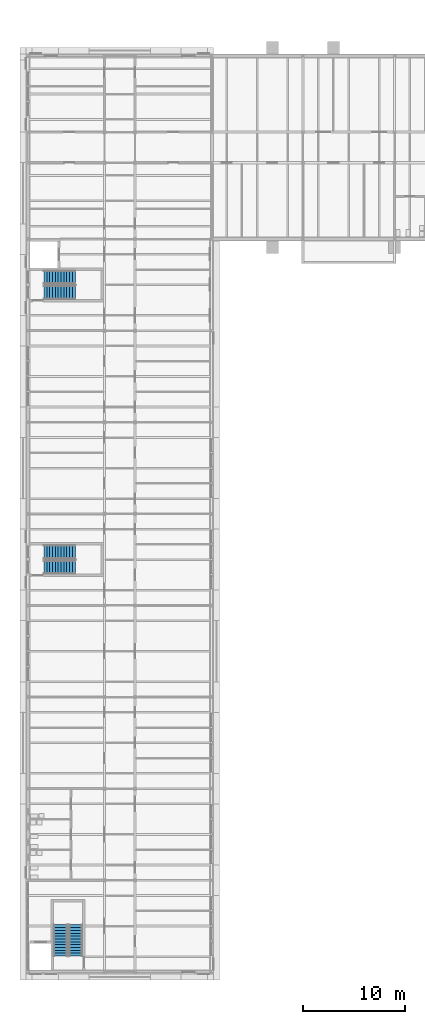
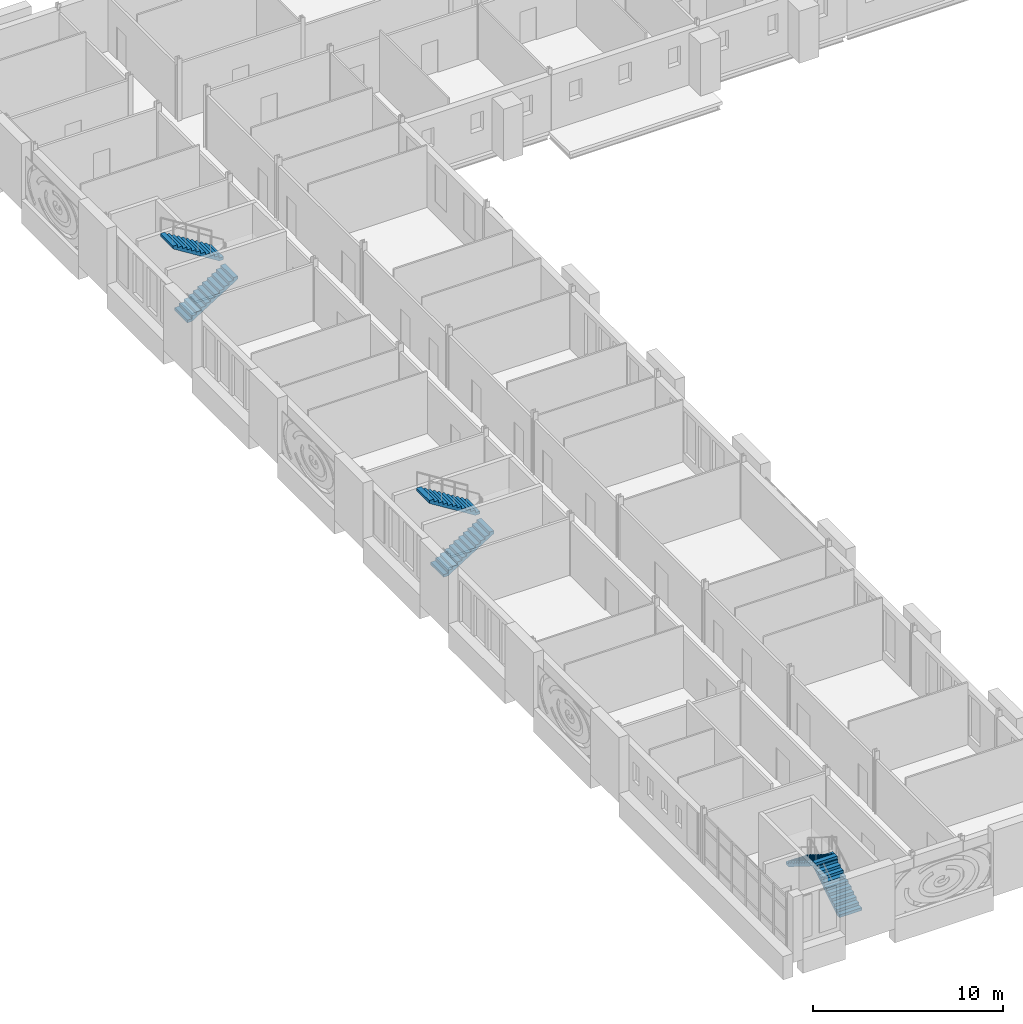
# One storey, part 97 of 121: 6 stair flights, 3 elements without a shape of their own.
"""IFC4 building model written with IfcOpenShell, lengths in metres."""

import ifcopenshell
import ifcopenshell.guid

model = None  # the IFC model being written
_history = None  # IfcOwnerHistory: only IFC2X3 demands one
_inside = {}  # id of a spatial element -> (the spatial element, [elements in it])
_under = {}  # id of a project, library or spatial element -> (it, [spatial elements below it])
_declared = {}  # id of a project -> (the project, [libraries it declares])
_typed = {}  # id of a type object -> (the type object, [elements of that type])
_made_of = {}  # id of a material, layer set ... -> (it, [elements and type objects made of it])


def new_model(schema):
    """Start an empty IFC model of exactly this schema.

    Asked for "IFC4X3", IfcOpenShell would pick the latest addendum, in which some entities
    have other attributes; the version numbers below select the first issue.
    IFC2X3 requires an IfcOwnerHistory on every rooted entity: one is made here for all.
    """
    global model, _history
    if schema == "IFC4X3":
        model = ifcopenshell.file(schema_version=(4, 3, 0, 0))
    else:
        model = ifcopenshell.file(schema=schema)
    _inside.clear()
    _under.clear()
    _declared.clear()
    _typed.clear()
    _made_of.clear()
    _history = None
    if model.schema == "IFC2X3":
        org = make("IfcOrganization", Name="unknown")
        user = make(
            "IfcPersonAndOrganization",
            ThePerson=make("IfcPerson", FamilyName="unknown"),
            TheOrganization=org,
        )
        app = make(
            "IfcApplication",
            ApplicationDeveloper=org,
            Version="unknown",
            ApplicationFullName="unknown",
            ApplicationIdentifier="unknown",
        )
        _history = make(
            "IfcOwnerHistory",
            OwningUser=user,
            OwningApplication=app,
            ChangeAction="ADDED",
            CreationDate=0,
        )
    return model


def make(cls, **values):
    """One entity of the class cls with the attributes given. An attribute that is None is left unset."""
    return model.create_entity(
        cls, **{name: value for name, value in values.items() if value is not None}
    )


def rooted(cls, **values):
    """An entity with a GlobalId (a new one), such as an element, a storey or a relation."""
    return make(cls, GlobalId=ifcopenshell.guid.new(), OwnerHistory=_history, **values)


def si_unit(unit_type, name, prefix=None):
    """IfcSIUnit, for example si_unit("LENGTHUNIT", "METRE", prefix="MILLI")."""
    return make("IfcSIUnit", UnitType=unit_type, Prefix=prefix, Name=name)


def assignment(units):
    """IfcUnitAssignment: the units of a project."""
    return None if units is None else make("IfcUnitAssignment", Units=units)


def point(xyz):
    """IfcCartesianPoint."""
    return None if xyz is None else make("IfcCartesianPoint", Coordinates=xyz)


def direction(xyz):
    """IfcDirection."""
    return None if xyz is None else make("IfcDirection", DirectionRatios=xyz)


def frame(location, z_axis=None, x_axis=None):
    """IfcAxis2Placement3D, a coordinate frame: its origin and axes. An axis left out is left unset."""
    return make(
        "IfcAxis2Placement3D",
        Location=point(location),
        Axis=direction(z_axis),
        RefDirection=direction(x_axis),
    )


def origin():
    """The frame at (0, 0, 0) with its axes left unset."""
    return frame((0.0, 0.0, 0.0))


def place(relative_to, where):
    """IfcLocalPlacement: puts the frame where relative to a parent placement (None: the world)."""
    return make(
        "IfcLocalPlacement", PlacementRelTo=relative_to, RelativePlacement=where
    )


def context(
    kind, dimensions, precision=None, world=None, true_north=None, identifier=None
):
    """IfcGeometricRepresentationContext, for example the 3D "Model" context."""
    return make(
        "IfcGeometricRepresentationContext",
        ContextIdentifier=identifier,
        ContextType=kind,
        CoordinateSpaceDimension=dimensions,
        Precision=precision,
        WorldCoordinateSystem=world,
        TrueNorth=true_north,
    )


def subcontext(parent, identifier, kind, view, scale=None):
    """IfcGeometricRepresentationSubContext, for example "Body" below "Model"."""
    return make(
        "IfcGeometricRepresentationSubContext",
        ContextIdentifier=identifier,
        ContextType=kind,
        ParentContext=parent,
        TargetScale=scale,
        TargetView=view,
    )


def project(units=None, contexts=None):
    """IfcProject with its units and contexts."""
    return rooted(
        "IfcProject",
        Name="project",
        RepresentationContexts=contexts,
        UnitsInContext=assignment(units),
    )


def spatial(cls, under=None, at=None, **own):
    """A site, building, storey or space (cls), placed at a placement, below another one or the project."""
    s = rooted(cls, ObjectPlacement=at, **own)
    if under is not None:
        _under.setdefault(under.id(), (under, []))[1].append(s)
    return s


def polyline(points):
    """IfcPolyline through the points."""
    return make("IfcPolyline", Points=[point(p) for p in points])


def outline(outer, holes=None, kind="AREA"):
    """IfcArbitraryClosedProfileDef: a profile drawn as a closed curve; with holes, ...WithVoids."""
    if holes is None:
        return make("IfcArbitraryClosedProfileDef", ProfileType=kind, OuterCurve=outer)
    return make(
        "IfcArbitraryProfileDefWithVoids",
        ProfileType=kind,
        OuterCurve=outer,
        InnerCurves=holes,
    )


def extrude(swept, where, along, depth):
    """IfcExtrudedAreaSolid: the profile swept, set in the frame where, extruded along a direction by depth."""
    return make(
        "IfcExtrudedAreaSolid",
        SweptArea=swept,
        Position=where,
        ExtrudedDirection=direction(along),
        Depth=depth,
    )


def shape(context_of_items, identifier, shape_type, items):
    """IfcShapeRepresentation: the items that make up one representation, for example the "Body"."""
    return make(
        "IfcShapeRepresentation",
        ContextOfItems=context_of_items,
        RepresentationIdentifier=identifier,
        RepresentationType=shape_type,
        Items=items,
    )


def material(Name=None, Category=None):
    """IfcMaterial."""
    return make("IfcMaterial", Name=Name, Category=Category)


def made_of(thing, what):
    """Note that an element or type object is made of a material, layer set ...; save() writes the relation."""
    if what is not None:
        _made_of.setdefault(what.id(), (what, []))[1].append(thing)
    return thing


def type_object(cls, material=None, **own):
    """A type object (cls), such as IfcWallType, which elements share."""
    return made_of(rooted(cls, **own), material)


def element(
    cls,
    number,
    at=None,
    inside=None,
    cuts=None,
    type_object=None,
    material=None,
    context=None,
    identifier="Body",
    shape_type=None,
    held_by="IfcProductDefinitionShape",
    body=None,
    shapes=None,
    **own,
):
    """One element of the class cls, such as IfcWall. Its Tag is "e" and its number.

    at: its placement. inside: the storey or other place that contains it. cuts: it is an
    opening in that element (IfcRelVoidsElement). A single representation is given by context,
    identifier, shape_type and body (its items); several are given by shapes. held_by: the class
    of the entity that holds the representations. save() writes the other relations.
    """
    e = rooted(cls, Tag="e%d" % number, ObjectPlacement=at, **own)
    if body is not None:
        shapes = [shape(context, identifier, shape_type, body)]
    if shapes is not None:
        e.Representation = make(held_by, Representations=shapes)
    if inside is not None:
        _inside.setdefault(inside.id(), (inside, []))[1].append(e)
    if cuts is not None:
        rooted(
            "IfcRelVoidsElement", RelatingBuildingElement=cuts, RelatedOpeningElement=e
        )
    if type_object is not None:
        _typed.setdefault(type_object.id(), (type_object, []))[1].append(e)
    return made_of(e, material)


def aggregate(whole, parts):
    """IfcRelAggregates: a whole, such as a stair, and the parts it consists of."""
    return rooted("IfcRelAggregates", RelatingObject=whole, RelatedObjects=parts)


def save(model, path):
    """Write the relations noted so far, then the file.

    IfcRelAggregates (storeys below a building ...), IfcRelContainedInSpatialStructure (elements
    in a storey), IfcRelDefinesByType, IfcRelAssociatesMaterial and IfcRelDeclares: one each for
    every whole, place, type object, material and project.
    """
    for whole, parts in _under.values():
        aggregate(whole, parts)
    for where, things in _inside.values():
        rooted(
            "IfcRelContainedInSpatialStructure",
            RelatedElements=things,
            RelatingStructure=where,
        )
    for kind, things in _typed.values():
        rooted("IfcRelDefinesByType", RelatedObjects=things, RelatingType=kind)
    for what, things in _made_of.values():
        rooted("IfcRelAssociatesMaterial", RelatedObjects=things, RelatingMaterial=what)
    for by, libraries in _declared.values():
        rooted("IfcRelDeclares", RelatingContext=by, RelatedDefinitions=libraries)
    model.write(path)


model = new_model("IFC4")

# Units and contexts
model_context = context("Model", 3, precision=1e-05, world=origin(), true_north=direction((0.0, 1.0)))
body_context = subcontext(model_context, "Body", "Model", "MODEL_VIEW")
ifc_project = project(units=[si_unit("LENGTHUNIT", "METRE"), si_unit("AREAUNIT", "SQUARE_METRE"), si_unit("VOLUMEUNIT", "CUBIC_METRE"), si_unit("PLANEANGLEUNIT", "RADIAN"), si_unit("MASSUNIT", "GRAM", prefix="KILO")], contexts=[model_context])

# Site, building, storey
site_placement = place(None, origin())
site = spatial("IfcSite", under=ifc_project, at=site_placement, CompositionType="ELEMENT")
building_placement = place(site_placement, origin())
building = spatial("IfcBuilding", under=site, at=building_placement, Name="Golden Quay Civic Hall", CompositionType="ELEMENT")
storey_placement = place(building_placement, frame((0.0, 0.0, 18.60009765625)))
storey = spatial("IfcBuildingStorey", under=building, at=storey_placement, Name="L04", CompositionType="ELEMENT", Elevation=18.60009765625)

# Stair, stair flights
ifc_material_1 = material(Name="Concrete C35/45", Category="concrete")
stair_type = type_object("IfcStairType", Name="Concrete stair 1350 wide 24 risers of 175.0", PredefinedType="HALF_TURN_STAIR", material=ifc_material_1)
stair_1_placement = place(storey_placement, origin())
stair_1 = element("IfcStair", 1, at=stair_1_placement, inside=storey, type_object=stair_type, Name="L04 Stair WO-S", PredefinedType="HALF_TURN_STAIR")
ifc_material_2 = material(Name="Concrete C35/45", Category="concrete")
stair_flight_type = type_object("IfcStairFlightType", Name="Concrete stair flight 1350 wide 12 risers of 175.0", PredefinedType="STRAIGHT", material=ifc_material_2)
stair_flight_1_placement = place(storey_placement, frame((4.675048828125, -7.449951171875, 0.0), z_axis=(0.0, 0.0, 1.0), x_axis=(0.0, 1.0, 0.0)))
stair_flight_1 = element("IfcStairFlight", 2, at=stair_flight_1_placement, type_object=stair_flight_type, Name="WO-S flight 1", NumberOfRisers=12, NumberOfTreads=11, PredefinedType="STRAIGHT", RiserHeight=0.175, TreadLength=0.28, context=body_context, shape_type="SweptSolid", body=[
    extrude(outline(polyline([(0.0, 0.0), (0.0, 0.175048828125), (0.280029296875, 0.175048828125), (0.280029296875, 0.35009765625), (0.56005859375, 0.35009765625), (0.56005859375, 0.52490234375), (0.840087890625, 0.52490234375), (0.840087890625, 0.699951171875), (1.1201171875, 0.699951171875), (1.1201171875, 0.875), (1.39990234375, 0.875), (1.39990234375, 1.050048828125), (1.679931640625, 1.050048828125), (1.679931640625, 1.22509765625), (1.9599609375, 1.22509765625), (1.9599609375, 1.39990234375), (2.239990234375, 1.39990234375), (2.239990234375, 1.574951171875), (2.52001953125, 1.574951171875), (2.52001953125, 1.75), (2.800048828125, 1.75), (2.800048828125, 1.925048828125), (3.080078125, 1.925048828125), (3.080078125, 2.10009765625), (3.080078125, 1.748291015625), (0.28271484375, 0.0), (0.0, 0.0)])), frame((0.0, 0.675048828125, 0.0), z_axis=(0.0, -1.0, 0.0), x_axis=(1.0, 0.0, 0.0)), (0.0, 0.0, 1.0), 1.35),
])
stair_flight_2_placement = place(storey_placement, frame((3.175048828125, -4.3701171875, 2.099853515625), z_axis=(0.0, 0.0, 1.0), x_axis=(0.0, -1.0, 0.0)))
stair_flight_2 = element("IfcStairFlight", 3, at=stair_flight_2_placement, type_object=stair_flight_type, Name="WO-S flight 2", NumberOfRisers=12, NumberOfTreads=11, PredefinedType="STRAIGHT", RiserHeight=0.175, TreadLength=0.28, context=body_context, shape_type="SweptSolid", body=[
    extrude(outline(polyline([(0.0, 0.0), (0.0, 0.175048828125), (0.280029296875, 0.175048828125), (0.280029296875, 0.35009765625), (0.56005859375, 0.35009765625), (0.56005859375, 0.52490234375), (0.840087890625, 0.52490234375), (0.840087890625, 0.699951171875), (1.1201171875, 0.699951171875), (1.1201171875, 0.875), (1.39990234375, 0.875), (1.39990234375, 1.050048828125), (1.679931640625, 1.050048828125), (1.679931640625, 1.22509765625), (1.9599609375, 1.22509765625), (1.9599609375, 1.39990234375), (2.239990234375, 1.39990234375), (2.239990234375, 1.574951171875), (2.52001953125, 1.574951171875), (2.52001953125, 1.75), (2.800048828125, 1.75), (2.800048828125, 1.925048828125), (3.080078125, 1.925048828125), (3.080078125, 2.10009765625), (3.080078125, 1.748291015625), (0.28271484375, 0.0), (0.0, 0.0)])), frame((0.0, 0.675048828125, 0.0), z_axis=(0.0, -1.0, 0.0), x_axis=(1.0, 0.0, 0.0)), (0.0, 0.0, 1.0), 1.35),
])
aggregate(stair_1, [stair_flight_1, stair_flight_2])

stair_2_placement = place(storey_placement, origin())
stair_2 = element("IfcStair", 4, at=stair_2_placement, inside=storey, type_object=stair_type, Name="L04 Stair WO-N", PredefinedType="HALF_TURN_STAIR")
stair_flight_3_placement = place(storey_placement, frame((1.550048828125, 57.75, 0.0), z_axis=(0.0, 0.0, 1.0), x_axis=(1.0, 0.0, 0.0)))
stair_flight_3 = element("IfcStairFlight", 5, at=stair_flight_3_placement, type_object=stair_flight_type, Name="WO-N flight 1", NumberOfRisers=12, NumberOfTreads=11, PredefinedType="STRAIGHT", RiserHeight=0.175, TreadLength=0.28, context=body_context, shape_type="SweptSolid", body=[
    extrude(outline(polyline([(0.0, 0.0), (0.0, 0.175048828125), (0.280029296875, 0.175048828125), (0.280029296875, 0.35009765625), (0.56005859375, 0.35009765625), (0.56005859375, 0.52490234375), (0.840087890625, 0.52490234375), (0.840087890625, 0.699951171875), (1.1201171875, 0.699951171875), (1.1201171875, 0.875), (1.39990234375, 0.875), (1.39990234375, 1.050048828125), (1.679931640625, 1.050048828125), (1.679931640625, 1.22509765625), (1.9599609375, 1.22509765625), (1.9599609375, 1.39990234375), (2.239990234375, 1.39990234375), (2.239990234375, 1.574951171875), (2.52001953125, 1.574951171875), (2.52001953125, 1.75), (2.800048828125, 1.75), (2.800048828125, 1.925048828125), (3.080078125, 1.925048828125), (3.080078125, 2.10009765625), (3.080078125, 1.748291015625), (0.28271484375, 0.0), (0.0, 0.0)])), frame((0.0, 0.675048828125, 0.0), z_axis=(0.0, -1.0, 0.0), x_axis=(1.0, 0.0, 0.0)), (0.0, 0.0, 1.0), 1.35),
])
stair_flight_4_placement = place(storey_placement, frame((4.6298828125, 59.25, 2.099853515625), z_axis=(0.0, 0.0, 1.0), x_axis=(-1.0, 0.0, 0.0)))
stair_flight_4 = element("IfcStairFlight", 6, at=stair_flight_4_placement, type_object=stair_flight_type, Name="WO-N flight 2", NumberOfRisers=12, NumberOfTreads=11, PredefinedType="STRAIGHT", RiserHeight=0.175, TreadLength=0.28, context=body_context, shape_type="SweptSolid", body=[
    extrude(outline(polyline([(0.0, 0.0), (0.0, 0.175048828125), (0.280029296875, 0.175048828125), (0.280029296875, 0.35009765625), (0.56005859375, 0.35009765625), (0.56005859375, 0.52490234375), (0.840087890625, 0.52490234375), (0.840087890625, 0.699951171875), (1.1201171875, 0.699951171875), (1.1201171875, 0.875), (1.39990234375, 0.875), (1.39990234375, 1.050048828125), (1.679931640625, 1.050048828125), (1.679931640625, 1.22509765625), (1.9599609375, 1.22509765625), (1.9599609375, 1.39990234375), (2.239990234375, 1.39990234375), (2.239990234375, 1.574951171875), (2.52001953125, 1.574951171875), (2.52001953125, 1.75), (2.800048828125, 1.75), (2.800048828125, 1.925048828125), (3.080078125, 1.925048828125), (3.080078125, 2.10009765625), (3.080078125, 1.748291015625), (0.28271484375, 0.0), (0.0, 0.0)])), frame((0.0, 0.675048828125, 0.0), z_axis=(0.0, -1.0, 0.0), x_axis=(1.0, 0.0, 0.0)), (0.0, 0.0, 1.0), 1.35),
])
aggregate(stair_2, [stair_flight_3, stair_flight_4])

stair_3_placement = place(storey_placement, origin())
stair_3 = element("IfcStair", 7, at=stair_3_placement, inside=storey, type_object=stair_type, Name="L04 Stair WO-M", PredefinedType="HALF_TURN_STAIR")
stair_flight_5_placement = place(storey_placement, frame((1.550048828125, 30.75, 0.0), z_axis=(0.0, 0.0, 1.0), x_axis=(1.0, 0.0, 0.0)))
stair_flight_5 = element("IfcStairFlight", 8, at=stair_flight_5_placement, type_object=stair_flight_type, Name="WO-M flight 1", NumberOfRisers=12, NumberOfTreads=11, PredefinedType="STRAIGHT", RiserHeight=0.175, TreadLength=0.28, context=body_context, shape_type="SweptSolid", body=[
    extrude(outline(polyline([(0.0, 0.0), (0.0, 0.175048828125), (0.280029296875, 0.175048828125), (0.280029296875, 0.35009765625), (0.56005859375, 0.35009765625), (0.56005859375, 0.52490234375), (0.840087890625, 0.52490234375), (0.840087890625, 0.699951171875), (1.1201171875, 0.699951171875), (1.1201171875, 0.875), (1.39990234375, 0.875), (1.39990234375, 1.050048828125), (1.679931640625, 1.050048828125), (1.679931640625, 1.22509765625), (1.9599609375, 1.22509765625), (1.9599609375, 1.39990234375), (2.239990234375, 1.39990234375), (2.239990234375, 1.574951171875), (2.52001953125, 1.574951171875), (2.52001953125, 1.75), (2.800048828125, 1.75), (2.800048828125, 1.925048828125), (3.080078125, 1.925048828125), (3.080078125, 2.10009765625), (3.080078125, 1.748291015625), (0.28271484375, 0.0), (0.0, 0.0)])), frame((0.0, 0.675048828125, 0.0), z_axis=(0.0, -1.0, 0.0), x_axis=(1.0, 0.0, 0.0)), (0.0, 0.0, 1.0), 1.35),
])
stair_flight_6_placement = place(storey_placement, frame((4.6298828125, 32.25, 2.099853515625), z_axis=(0.0, 0.0, 1.0), x_axis=(-1.0, 0.0, 0.0)))
stair_flight_6 = element("IfcStairFlight", 9, at=stair_flight_6_placement, type_object=stair_flight_type, Name="WO-M flight 2", NumberOfRisers=12, NumberOfTreads=11, PredefinedType="STRAIGHT", RiserHeight=0.175, TreadLength=0.28, context=body_context, shape_type="SweptSolid", body=[
    extrude(outline(polyline([(0.0, 0.0), (0.0, 0.175048828125), (0.280029296875, 0.175048828125), (0.280029296875, 0.35009765625), (0.56005859375, 0.35009765625), (0.56005859375, 0.52490234375), (0.840087890625, 0.52490234375), (0.840087890625, 0.699951171875), (1.1201171875, 0.699951171875), (1.1201171875, 0.875), (1.39990234375, 0.875), (1.39990234375, 1.050048828125), (1.679931640625, 1.050048828125), (1.679931640625, 1.22509765625), (1.9599609375, 1.22509765625), (1.9599609375, 1.39990234375), (2.239990234375, 1.39990234375), (2.239990234375, 1.574951171875), (2.52001953125, 1.574951171875), (2.52001953125, 1.75), (2.800048828125, 1.75), (2.800048828125, 1.925048828125), (3.080078125, 1.925048828125), (3.080078125, 2.10009765625), (3.080078125, 1.748291015625), (0.28271484375, 0.0), (0.0, 0.0)])), frame((0.0, 0.675048828125, 0.0), z_axis=(0.0, -1.0, 0.0), x_axis=(1.0, 0.0, 0.0)), (0.0, 0.0, 1.0), 1.35),
])
aggregate(stair_3, [stair_flight_5, stair_flight_6])

save(model, "model.ifc")
